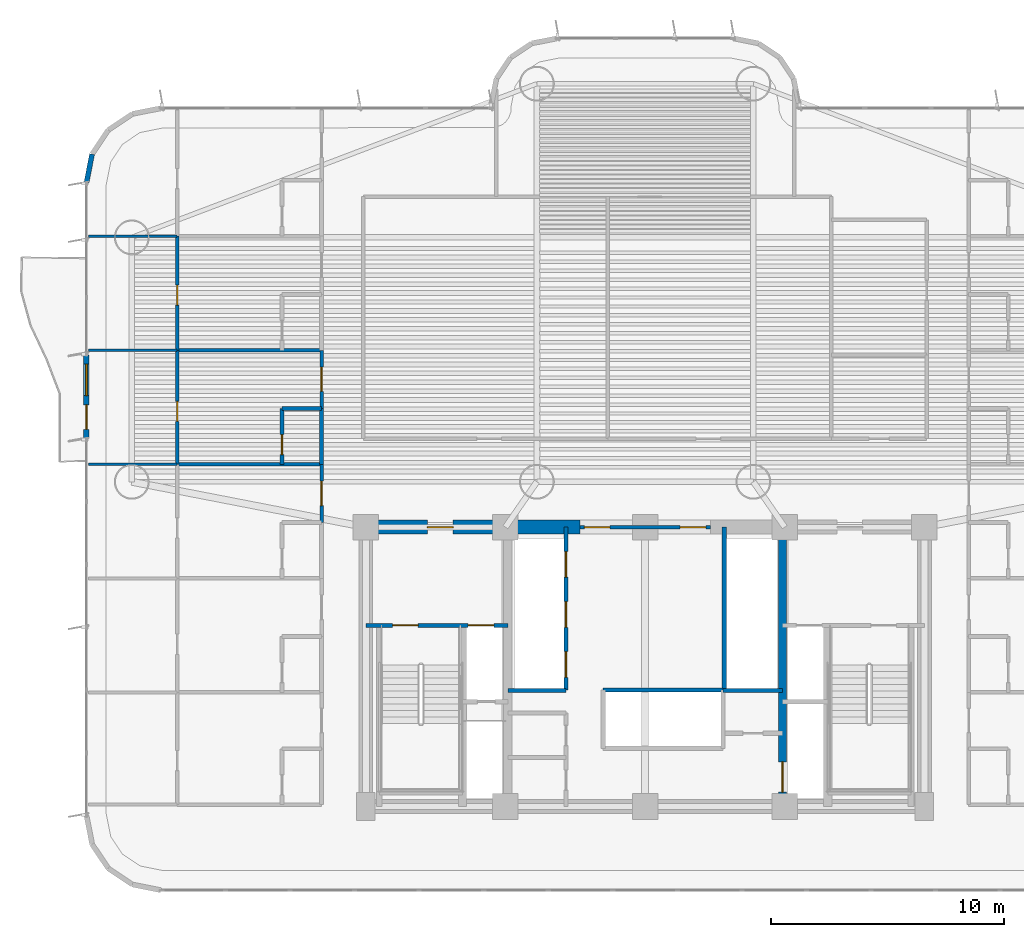
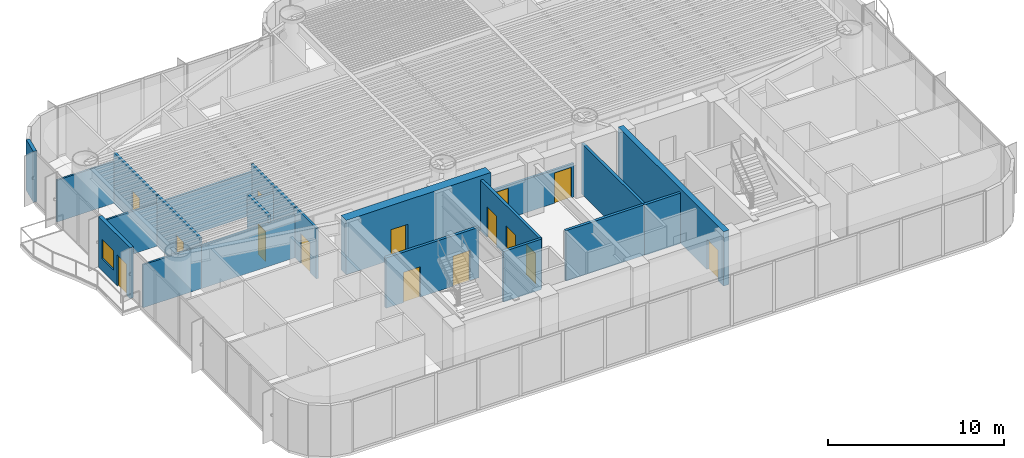
# One storey, part 11 of 19: 23 walls, 15 doors, 1 window, 16 openings.
"""IFC4 building model written with IfcOpenShell, lengths in metres."""

from ifc_helpers import new_model, si_unit, direction, frame, frame_2d, origin, origin_2d, place, context, subcontext, project, spatial, rectangle, extrude, source, transform, mapped, material, layer, layer_set, type_object, element, fill, save


model = new_model("IFC4")

# Units and contexts
model_context = context("Model", 3, precision=1e-05, world=origin(), true_north=direction((0.0, 1.0)))
body_context = subcontext(model_context, "Body", "Model", "MODEL_VIEW")
ifc_project = project(units=[si_unit("LENGTHUNIT", "METRE"), si_unit("AREAUNIT", "SQUARE_METRE"), si_unit("VOLUMEUNIT", "CUBIC_METRE"), si_unit("PLANEANGLEUNIT", "RADIAN"), si_unit("MASSUNIT", "GRAM", prefix="KILO")], contexts=[model_context])

# Site, building, storey
site_placement = place(None, origin())
site = spatial("IfcSite", under=ifc_project, at=site_placement, CompositionType="ELEMENT")
building_placement = place(site_placement, origin())
building = spatial("IfcBuilding", under=site, at=building_placement, Name="Brelvock Crest Care Tower", CompositionType="ELEMENT")
storey_placement = place(building_placement, frame((0.0, 0.0, 68.580078125)))
storey = spatial("IfcBuildingStorey", under=building, at=storey_placement, Name="L17", CompositionType="ELEMENT", Elevation=68.580078125)

# Wall, opening, door
ifc_material_1 = material(Name="Concrete S80 (80 MPa)", Category="concrete")
ifc_layer_1 = layer(ifc_material_1, 0.60009765625, Name="WL-CS1")
ifc_layer_set_1 = layer_set([ifc_layer_1], Name="Concrete S80 (80 MPa)")
wall_type_1 = type_object("IfcWallType", Name="WL-CS1", PredefinedType="SHEAR", material=ifc_layer_set_1)
wall_1_placement = place(storey_placement, frame((23.699951171875, 18.0, 0.0), z_axis=(0.0, 0.0, 1.0), x_axis=(1.0, 0.0, 0.0)))
wall_1 = element("IfcWall", 1, at=wall_1_placement, inside=storey, type_object=wall_type_1, Name="L17 Core North-West Shear Wall", PredefinedType="SHEAR", context=body_context, shape_type="SweptSolid", body=[
    extrude(rectangle(XDim=9.5, YDim=0.60009765625, at=frame_2d((4.75, 0.0))), origin(), (0.0, 0.0, 1.0), 3.780029296875),
])
opening_1_placement = place(wall_1_placement, frame((2.949951171875, 0.0, 0.0)))
opening_1 = element("IfcOpeningElement", 2, at=opening_1_placement, cuts=wall_1, Name="Opening FD-1", PredefinedType="OPENING", context=body_context, shape_type="SweptSolid", body=[
    extrude(rectangle(XDim=1.10009765625, YDim=2.10009765625, at=origin_2d()), frame((0.550048828125, 0.31005859375, 1.050048828125), z_axis=(0.0, -1.0, 0.0), x_axis=(1.0, 0.0, 0.0)), (0.0, 0.0, 1.0), 0.6201171875),
])
ifc_material_2 = material(Name="Steel Grade 350", Category="steel")
door_type_1 = type_object("IfcDoorType", Name="DR-FFL1", OperationType="NOTDEFINED", PredefinedType="DOOR", material=ifc_material_2)
shared_shape_1 = source(origin(), body_context, "Body", "SweptSolid", [
    extrude(rectangle(XDim=1.10009765625, YDim=2.10009765625, at=origin_2d()), frame((0.550048828125, 0.02490234375, 1.050048828125), z_axis=(0.0, -1.0, 0.0), x_axis=(1.0, 0.0, 0.0)), (0.0, 0.0, 1.0), 0.050048828125),
])
door_1_placement = place(opening_1_placement, origin())
door_1 = element("IfcDoor", 3, at=door_1_placement, inside=storey, type_object=door_type_1, Name="L17 Firefighting Lobby FFL-1 Exit Door", OperationType="SINGLE_SWING_LEFT", OverallHeight=2.10009765625, OverallWidth=1.10009765625, PredefinedType="DOOR", context=body_context, shape_type="MappedRepresentation", body=[
    mapped(shared_shape_1, transform((0.0, 0.0, 0.0), x_axis=(1.0, 0.0, 0.0), y_axis=(0.0, 1.0, 0.0), z_axis=(0.0, 0.0, 1.0), scale=1.0)),
])
fill(opening_1, door_1)

ifc_layer_2 = layer(ifc_material_1, 0.35009765625, Name="WL-CS5")
ifc_layer_set_2 = layer_set([ifc_layer_2], Name="Concrete S80 (80 MPa)")
wall_type_2 = type_object("IfcWallType", Name="WL-CS5", PredefinedType="SHEAR", material=ifc_layer_set_2)
wall_2_placement = place(storey_placement, frame((41.89990234375, 18.0, 0.0), z_axis=(0.0, 0.0, 1.0), x_axis=(0.0, -1.0, 0.0)))
wall_2 = element("IfcWall", 4, at=wall_2_placement, inside=storey, type_object=wall_type_2, Name="L17 Core Internal Web Wall East", PredefinedType="SHEAR", context=body_context, shape_type="SweptSolid", body=[
    extrude(rectangle(XDim=12.0, YDim=0.35009765625, at=frame_2d((6.0, 0.0))), origin(), (0.0, 0.0, 1.0), 3.780029296875),
])
opening_2_placement = place(wall_2_placement, frame((10.080078125, 0.0, 0.0)))
opening_2 = element("IfcOpeningElement", 5, at=opening_2_placement, cuts=wall_2, Name="Opening LD-S", PredefinedType="OPENING", context=body_context, shape_type="SweptSolid", body=[
    extrude(rectangle(XDim=1.300048828125, YDim=2.10009765625, at=origin_2d()), frame((0.64990234375, 0.18505859375, 1.050048828125), z_axis=(0.0, -1.0, 0.0), x_axis=(1.0, 0.0, 0.0)), (0.0, 0.0, 1.0), 0.3701171875),
])
door_type_2 = type_object("IfcDoorType", Name="DR-LDS1", OperationType="NOTDEFINED", PredefinedType="DOOR", material=ifc_material_2)
shared_shape_2 = source(origin(), body_context, "Body", "SweptSolid", [
    extrude(rectangle(XDim=1.300048828125, YDim=2.10009765625, at=origin_2d()), frame((0.64990234375, 0.02490234375, 1.050048828125), z_axis=(0.0, -1.0, 0.0), x_axis=(1.0, 0.0, 0.0)), (0.0, 0.0, 1.0), 0.050048828125),
])
door_2_placement = place(opening_2_placement, origin())
door_2 = element("IfcDoor", 6, at=door_2_placement, inside=storey, type_object=door_type_2, Name="L17 Clinical Bed Lift SL-1 Landing Door", OperationType="SLIDING_TO_LEFT", OverallHeight=2.10009765625, OverallWidth=1.300048828125, PredefinedType="DOOR", context=body_context, shape_type="MappedRepresentation", body=[
    mapped(shared_shape_2, transform((0.0, 0.0, 0.0), x_axis=(1.0, 0.0, 0.0), y_axis=(0.0, 1.0, 0.0), z_axis=(0.0, 0.0, 1.0), scale=1.0)),
])
fill(opening_2, door_2)

# Wall, openings, door, window
ifc_material_3 = material(Name="Precast concrete N40 (40 MPa)", Category="concrete")
ifc_layer_3 = layer(ifc_material_3, 0.239990234375, Name="WL-EX1")
ifc_layer_set_3 = layer_set([ifc_layer_3], Name="Precast concrete N40 (40 MPa)")
wall_type_3 = type_object("IfcWallType", Name="WL-EX1", PredefinedType="SOLIDWALL", material=ifc_layer_set_3)
wall_3_placement = place(storey_placement, frame((12.0, 21.800048828125, 0.0), z_axis=(0.0, 0.0, 1.0), x_axis=(0.0, 1.0, 0.0)))
wall_3 = element("IfcWall", 7, at=wall_3_placement, inside=storey, type_object=wall_type_3, Name="L17 Exterior Spandrel Wall WL-BAL-L17-W", PredefinedType="SOLIDWALL", context=body_context, shape_type="SweptSolid", body=[
    extrude(rectangle(XDim=3.599853515625, YDim=0.239990234375, at=frame_2d((1.7998046875, 0.0))), origin(), (0.0, 0.0, 1.0), 3.530029296875),
])
opening_3_placement = place(wall_3_placement, frame((0.39990234375, 0.0, 0.0)))
opening_3 = element("IfcOpeningElement", 8, at=opening_3_placement, cuts=wall_3, Name="Opening BD-1", PredefinedType="OPENING", context=body_context, shape_type="SweptSolid", body=[
    extrude(rectangle(XDim=1.050048828125, YDim=2.14990234375, at=origin_2d()), frame((0.52490234375, 0.1298828125, 1.074951171875), z_axis=(0.0, -1.0, 0.0), x_axis=(1.0, 0.0, 0.0)), (0.0, 0.0, 1.0), 0.260009765625),
])
opening_4_placement = place(wall_3_placement, frame((1.85009765625, 0.0, 0.85009765625)))
opening_4 = element("IfcOpeningElement", 9, at=opening_4_placement, cuts=wall_3, Name="Opening W-01", PredefinedType="OPENING", context=body_context, shape_type="SweptSolid", body=[
    extrude(rectangle(XDim=1.35009765625, YDim=1.35009765625, at=origin_2d()), frame((0.675048828125, 0.1298828125, 0.675048828125), z_axis=(0.0, -1.0, 0.0), x_axis=(1.0, 0.0, 0.0)), (0.0, 0.0, 1.0), 0.260009765625),
])
ifc_material_4 = material(Name="Dark Glass Double Glazed Low-E", Category="glass")
door_type_3 = type_object("IfcDoorType", Name="DR-BAL1", OperationType="NOTDEFINED", PredefinedType="DOOR", material=ifc_material_4)
shared_shape_3 = source(origin(), body_context, "Body", "SweptSolid", [
    extrude(rectangle(XDim=1.050048828125, YDim=2.14990234375, at=origin_2d()), frame((0.52490234375, 0.02490234375, 1.074951171875), z_axis=(0.0, -1.0, 0.0), x_axis=(1.0, 0.0, 0.0)), (0.0, 0.0, 1.0), 0.050048828125),
])
door_3_placement = place(opening_3_placement, origin())
door_3 = element("IfcDoor", 10, at=door_3_placement, inside=storey, type_object=door_type_3, Name="L17 W Wave Balcony Glazed Door", OperationType="SINGLE_SWING_LEFT", OverallHeight=2.14990234375, OverallWidth=1.050048828125, PredefinedType="DOOR", context=body_context, shape_type="MappedRepresentation", body=[
    mapped(shared_shape_3, transform((0.0, 0.0, 0.0), x_axis=(1.0, 0.0, 0.0), y_axis=(0.0, 1.0, 0.0), z_axis=(0.0, 0.0, 1.0), scale=1.0)),
])
fill(opening_3, door_3)
window_type = type_object("IfcWindowType", Name="WN-EX1", PartitioningType="SINGLE_PANEL", PredefinedType="WINDOW", material=ifc_material_4)
shared_shape_4 = source(origin(), body_context, "Body", "SweptSolid", [
    extrude(rectangle(XDim=1.35009765625, YDim=1.35009765625, at=origin_2d()), frame((0.675048828125, 0.030029296875, 0.675048828125), z_axis=(0.0, -1.0, 0.0), x_axis=(1.0, 0.0, 0.0)), (0.0, 0.0, 1.0), 0.06005859375),
])
window_placement = place(opening_4_placement, origin())
window = element("IfcWindow", 11, at=window_placement, inside=storey, type_object=window_type, Name="L17 W Suite Casement Window", OverallHeight=1.35009765625, OverallWidth=1.35009765625, PartitioningType="SINGLE_PANEL", PredefinedType="WINDOW", context=body_context, shape_type="MappedRepresentation", body=[
    mapped(shared_shape_4, transform((0.0, 0.0, 0.0), x_axis=(1.0, 0.0, 0.0), y_axis=(0.0, 1.0, 0.0), z_axis=(0.0, 0.0, 1.0), scale=1.0)),
])
fill(opening_4, window)

# Wall
ifc_layer_4 = layer(ifc_material_3, 0.215087890625, Name="WL-EX2")
ifc_layer_set_4 = layer_set([ifc_layer_4], Name="Precast concrete N40 (40 MPa)")
wall_type_4 = type_object("IfcWallType", Name="WL-EX2", PredefinedType="SOLIDWALL", material=ifc_layer_set_4)
wall_4_placement = place(storey_placement, frame((12.0, 32.800048828125, 0.0), z_axis=(0.0, 0.0, 1.0), x_axis=(0.195138390419, 0.980775717779, 0.0)))
element("IfcWall", 12, at=wall_4_placement, inside=storey, type_object=wall_type_4, Name="L17 Rounded Corner Wall 14", PredefinedType="SOLIDWALL", context=body_context, shape_type="SweptSolid", body=[
    extrude(rectangle(XDim=1.24853515625, YDim=0.215087890625, at=frame_2d((0.624267578125, 0.0))), origin(), (0.0, 0.0, 1.0), 3.530029296875),
])

# Wall, openings, doors
ifc_material_5 = material(Name="Masonry Blockwork Acoustic Partition", Category="masonry")
ifc_layer_5 = layer(ifc_material_5, 0.14990234375, Name="WL-INT1")
ifc_layer_set_5 = layer_set([ifc_layer_5], Name="Masonry Blockwork Acoustic Partition")
wall_type_5 = type_object("IfcWallType", Name="WL-INT1", PredefinedType="PARTITIONING", material=ifc_layer_set_5)
wall_5_placement = place(storey_placement, frame((33.199951171875, 18.0, 0.0), z_axis=(0.0, 0.0, 1.0), x_axis=(1.0, 0.0, 0.0)))
wall_5 = element("IfcWall", 13, at=wall_5_placement, inside=storey, type_object=wall_type_5, Name="L17 Interior Wall WL-CORE-NPORT-L17", PredefinedType="PARTITIONING", context=body_context, shape_type="SweptSolid", body=[
    extrude(rectangle(XDim=5.60009765625, YDim=0.14990234375, at=frame_2d((2.800048828125, 0.0))), origin(), (0.0, 0.0, 1.0), 2.31494140625),
])
opening_5_placement = place(wall_5_placement, frame((0.18994140625, 0.0, 0.0)))
opening_5 = element("IfcOpeningElement", 14, at=opening_5_placement, cuts=wall_5, Name="Opening FD-1", PredefinedType="OPENING", context=body_context, shape_type="SweptSolid", body=[
    extrude(rectangle(XDim=1.10009765625, YDim=2.10009765625, at=origin_2d()), frame((0.550048828125, 0.0849609375, 1.050048828125), z_axis=(0.0, -1.0, 0.0), x_axis=(1.0, 0.0, 0.0)), (0.0, 0.0, 1.0), 0.169921875),
])
opening_6_placement = place(wall_5_placement, frame((4.31005859375, 0.0, 0.0)))
opening_6 = element("IfcOpeningElement", 15, at=opening_6_placement, cuts=wall_5, Name="Opening FD-1", PredefinedType="OPENING", context=body_context, shape_type="SweptSolid", body=[
    extrude(rectangle(XDim=1.10009765625, YDim=2.10009765625, at=origin_2d()), frame((0.550048828125, 0.0849609375, 1.050048828125), z_axis=(0.0, -1.0, 0.0), x_axis=(1.0, 0.0, 0.0)), (0.0, 0.0, 1.0), 0.169921875),
])
door_4_placement = place(opening_5_placement, origin())
door_4 = element("IfcDoor", 16, at=door_4_placement, inside=storey, type_object=door_type_1, Name="L17 Lift Lobby North Smoke Door West", OperationType="SINGLE_SWING_LEFT", OverallHeight=2.10009765625, OverallWidth=1.10009765625, PredefinedType="DOOR", context=body_context, shape_type="MappedRepresentation", body=[
    mapped(shared_shape_1, transform((0.0, 0.0, 0.0), x_axis=(1.0, 0.0, 0.0), y_axis=(0.0, 1.0, 0.0), z_axis=(0.0, 0.0, 1.0), scale=1.0)),
])
fill(opening_5, door_4)
door_5_placement = place(opening_6_placement, origin())
door_5 = element("IfcDoor", 17, at=door_5_placement, inside=storey, type_object=door_type_1, Name="L17 Lift Lobby North Smoke Door East", OperationType="SINGLE_SWING_RIGHT", OverallHeight=2.10009765625, OverallWidth=1.10009765625, PredefinedType="DOOR", context=body_context, shape_type="MappedRepresentation", body=[
    mapped(shared_shape_1, transform((0.0, 0.0, 0.0), x_axis=(1.0, 0.0, 0.0), y_axis=(0.0, 1.0, 0.0), z_axis=(0.0, 0.0, 1.0), scale=1.0)),
])
fill(opening_6, door_5)

# Walls
for number, where, z_axis, x_axis, name in (
    (18, (15.89990234375, 20.699951171875, 0.0), (0.0, 0.0, 1.0), (1.0, 0.0, 0.0), "L17 Interior Wall WL-BX-L17-CS-WC3-N"),
    (19, (15.89990234375, 25.60009765625, 0.0), (0.0, 0.0, 1.0), (1.0, 0.0, 0.0), "L17 Interior Wall WL-BX-L17-CS-WC4-N"),
):
    element("IfcWall", number, at=place(storey_placement, frame(where, z_axis=z_axis, x_axis=x_axis)), inside=storey, type_object=wall_type_5, Name=name, PredefinedType="PARTITIONING", context=body_context, shape_type="SweptSolid", body=[
        extrude(rectangle(XDim=6.2001953125, YDim=0.14990234375, at=frame_2d((3.10009765625, 0.0))), origin(), (0.0, 0.0, 1.0), 2.98193359375),
    ])

# Wall, opening, door
wall_6_placement = place(storey_placement, frame((15.89990234375, 20.699951171875, 0.0), z_axis=(0.0, 0.0, 1.0), x_axis=(0.0, 1.0, 0.0)))
wall_6 = element("IfcWall", 20, at=wall_6_placement, inside=storey, type_object=wall_type_5, Name="L17 Interior Wall WL-RM-L17-WC4S", PredefinedType="PARTITIONING", context=body_context, shape_type="SweptSolid", body=[
    extrude(rectangle(XDim=4.900146484375, YDim=0.14990234375, at=frame_2d((2.4501953125, 0.0))), origin(), (0.0, 0.0, 1.0), 3.5),
])
opening_7_placement = place(wall_6_placement, frame((1.840087890625, 0.0, 0.0)))
opening_7 = element("IfcOpeningElement", 21, at=opening_7_placement, cuts=wall_6, Name="Opening ID-1", PredefinedType="OPENING", context=body_context, shape_type="SweptSolid", body=[
    extrude(rectangle(XDim=0.860107421875, YDim=2.10009765625, at=origin_2d()), frame((0.43017578125, 0.0849609375, 1.050048828125), z_axis=(0.0, -1.0, 0.0), x_axis=(1.0, 0.0, 0.0)), (0.0, 0.0, 1.0), 0.169921875),
])
ifc_material_6 = material(Name="Engineered Hardwood Timber", Category="wood")
door_type_4 = type_object("IfcDoorType", Name="DR-INT1", OperationType="NOTDEFINED", PredefinedType="DOOR", material=ifc_material_6)
shared_shape_5 = source(origin(), body_context, "Body", "SweptSolid", [
    extrude(rectangle(XDim=0.860107421875, YDim=2.10009765625, at=origin_2d()), frame((0.43017578125, 0.02490234375, 1.050048828125), z_axis=(0.0, -1.0, 0.0), x_axis=(1.0, 0.0, 0.0)), (0.0, 0.0, 1.0), 0.050048828125),
])
door_6_placement = place(opening_7_placement, origin())
door_6 = element("IfcDoor", 22, at=door_6_placement, inside=storey, type_object=door_type_4, Name="L17 Skilled Nursing Mobility Store Door WC4S", OperationType="SINGLE_SWING_LEFT", OverallHeight=2.10009765625, OverallWidth=0.860107421875, PredefinedType="DOOR", context=body_context, shape_type="MappedRepresentation", body=[
    mapped(shared_shape_5, transform((0.0, 0.0, 0.0), x_axis=(1.0, 0.0, 0.0), y_axis=(0.0, 1.0, 0.0), z_axis=(0.0, 0.0, 1.0), scale=1.0)),
])
fill(opening_7, door_6)

wall_7_placement = place(storey_placement, frame((15.89990234375, 25.60009765625, 0.0), z_axis=(0.0, 0.0, 1.0), x_axis=(0.0, 1.0, 0.0)))
wall_7 = element("IfcWall", 23, at=wall_7_placement, inside=storey, type_object=wall_type_5, Name="L17 Interior Wall WL-RM-L17-WC5S", PredefinedType="PARTITIONING", context=body_context, shape_type="SweptSolid", body=[
    extrude(rectangle(XDim=4.89990234375, YDim=0.14990234375, at=frame_2d((2.449951171875, 0.0))), origin(), (0.0, 0.0, 1.0), 3.5),
])
opening_8_placement = place(wall_7_placement, frame((1.93994140625, 0.0, 0.0)))
opening_8 = element("IfcOpeningElement", 24, at=opening_8_placement, cuts=wall_7, Name="Opening ID-1", PredefinedType="OPENING", context=body_context, shape_type="SweptSolid", body=[
    extrude(rectangle(XDim=0.860107421875, YDim=2.10009765625, at=origin_2d()), frame((0.43017578125, 0.0849609375, 1.050048828125), z_axis=(0.0, -1.0, 0.0), x_axis=(1.0, 0.0, 0.0)), (0.0, 0.0, 1.0), 0.169921875),
])
door_7_placement = place(opening_8_placement, origin())
door_7 = element("IfcDoor", 25, at=door_7_placement, inside=storey, type_object=door_type_4, Name="L17 Skilled Nursing Mobility Store Door WC5S", OperationType="SINGLE_SWING_LEFT", OverallHeight=2.10009765625, OverallWidth=0.860107421875, PredefinedType="DOOR", context=body_context, shape_type="MappedRepresentation", body=[
    mapped(shared_shape_5, transform((0.0, 0.0, 0.0), x_axis=(1.0, 0.0, 0.0), y_axis=(0.0, 1.0, 0.0), z_axis=(0.0, 0.0, 1.0), scale=1.0)),
])
fill(opening_8, door_7)

wall_8_placement = place(storey_placement, frame((22.10009765625, 18.199951171875, 0.0), z_axis=(0.0, 0.0, 1.0), x_axis=(0.0, 1.0, 0.0)))
wall_8 = element("IfcWall", 26, at=wall_8_placement, inside=storey, type_object=wall_type_5, Name="L17 Interior Wall WL-CENT-L17-WC3", PredefinedType="PARTITIONING", context=body_context, shape_type="SweptSolid", body=[
    extrude(rectangle(XDim=2.5, YDim=0.14990234375, at=frame_2d((1.25, 0.0))), origin(), (0.0, 0.0, 1.0), 3.5),
])
opening_9_placement = place(wall_8_placement, frame((0.72998046875, 0.0, 0.0)))
opening_9 = element("IfcOpeningElement", 27, at=opening_9_placement, cuts=wall_8, Name="Opening CD-1", PredefinedType="OPENING", context=body_context, shape_type="SweptSolid", body=[
    extrude(rectangle(XDim=1.050048828125, YDim=2.10009765625, at=origin_2d()), frame((0.52490234375, 0.0849609375, 1.050048828125), z_axis=(0.0, -1.0, 0.0), x_axis=(1.0, 0.0, 0.0)), (0.0, 0.0, 1.0), 0.169921875),
])
door_type_5 = type_object("IfcDoorType", Name="DR-CARE1", OperationType="NOTDEFINED", PredefinedType="DOOR", material=ifc_material_6)
shared_shape_6 = source(origin(), body_context, "Body", "SweptSolid", [
    extrude(rectangle(XDim=1.050048828125, YDim=2.10009765625, at=origin_2d()), frame((0.52490234375, 0.02490234375, 1.050048828125), z_axis=(0.0, -1.0, 0.0), x_axis=(1.0, 0.0, 0.0)), (0.0, 0.0, 1.0), 0.050048828125),
])
door_8_placement = place(opening_9_placement, origin())
door_8 = element("IfcDoor", 28, at=door_8_placement, inside=storey, type_object=door_type_5, Name="L17 Care Suite Door WC3", OperationType="SINGLE_SWING_LEFT", OverallHeight=2.10009765625, OverallWidth=1.050048828125, PredefinedType="DOOR", context=body_context, shape_type="MappedRepresentation", body=[
    mapped(shared_shape_6, transform((0.0, 0.0, 0.0), x_axis=(1.0, 0.0, 0.0), y_axis=(0.0, 1.0, 0.0), z_axis=(0.0, 0.0, 1.0), scale=1.0)),
])
fill(opening_9, door_8)

wall_9_placement = place(storey_placement, frame((22.10009765625, 23.10009765625, 0.0), z_axis=(0.0, 0.0, 1.0), x_axis=(0.0, 1.0, 0.0)))
wall_9 = element("IfcWall", 29, at=wall_9_placement, inside=storey, type_object=wall_type_5, Name="L17 Interior Wall WL-CENT-L17-WC4", PredefinedType="PARTITIONING", context=body_context, shape_type="SweptSolid", body=[
    extrude(rectangle(XDim=2.5, YDim=0.14990234375, at=frame_2d((1.25, 0.0))), origin(), (0.0, 0.0, 1.0), 3.5),
])
opening_10_placement = place(wall_9_placement, frame((0.72998046875, 0.0, 0.0)))
opening_10 = element("IfcOpeningElement", 30, at=opening_10_placement, cuts=wall_9, Name="Opening CD-1", PredefinedType="OPENING", context=body_context, shape_type="SweptSolid", body=[
    extrude(rectangle(XDim=1.050048828125, YDim=2.10009765625, at=origin_2d()), frame((0.52490234375, 0.0849609375, 1.050048828125), z_axis=(0.0, -1.0, 0.0), x_axis=(1.0, 0.0, 0.0)), (0.0, 0.0, 1.0), 0.169921875),
])
door_9_placement = place(opening_10_placement, origin())
door_9 = element("IfcDoor", 31, at=door_9_placement, inside=storey, type_object=door_type_5, Name="L17 Care Suite Door WC4", OperationType="SINGLE_SWING_LEFT", OverallHeight=2.10009765625, OverallWidth=1.050048828125, PredefinedType="DOOR", context=body_context, shape_type="MappedRepresentation", body=[
    mapped(shared_shape_6, transform((0.0, 0.0, 0.0), x_axis=(1.0, 0.0, 0.0), y_axis=(0.0, 1.0, 0.0), z_axis=(0.0, 0.0, 1.0), scale=1.0)),
])
fill(opening_10, door_9)

# Walls
ifc_material_7 = material(Name="Gypsum Plasterboard Partition", Category="gypsum")
ifc_layer_6 = layer(ifc_material_7, 0.1201171875, Name="WL-INT2")
ifc_layer_set_6 = layer_set([ifc_layer_6], Name="Gypsum Plasterboard Partition")
wall_type_6 = type_object("IfcWallType", Name="WL-INT2", PredefinedType="PARTITIONING", material=ifc_layer_set_6)
for number, where, z_axis, x_axis, name in (
    (32, (12.080078125, 20.699951171875, 0.0), (0.0, 0.0, 1.0), (1.0, 0.0, 0.0), "L17 Interior Wall WL-BX-L17-WC3S-N"),
    (33, (12.080078125, 25.60009765625, 0.0), (0.0, 0.0, 1.0), (1.0, 0.0, 0.0), "L17 Interior Wall WL-BX-L17-WC4S-N"),
):
    element("IfcWall", number, at=place(storey_placement, frame(where, z_axis=z_axis, x_axis=x_axis)), inside=storey, type_object=wall_type_6, Name=name, PredefinedType="PARTITIONING", context=body_context, shape_type="SweptSolid", body=[
        extrude(rectangle(XDim=3.81982421875, YDim=0.1201171875, at=frame_2d((1.909912109375, 0.0))), origin(), (0.0, 0.0, 1.0), 2.98193359375),
    ])
wall_10_placement = place(storey_placement, frame((12.080078125, 30.5, 0.0), z_axis=(0.0, 0.0, 1.0), x_axis=(1.0, 0.0, 0.0)))
element("IfcWall", 34, at=wall_10_placement, inside=storey, type_object=wall_type_6, Name="L17 Interior Wall WL-BX-L17-WC5S-N", PredefinedType="PARTITIONING", context=body_context, shape_type="SweptSolid", body=[
    extrude(rectangle(XDim=3.81982421875, YDim=0.1201171875, at=frame_2d((1.909912109375, 0.0))), origin(), (0.0, 0.0, 1.0), 2.90283203125),
])
ifc_layer_7 = layer(ifc_material_7, 0.159912109375, Name="WL-PLM1")
ifc_layer_set_7 = layer_set([ifc_layer_7], Name="Gypsum Plasterboard Partition")
wall_type_7 = type_object("IfcWallType", Name="WL-PLM1", PredefinedType="PLUMBINGWALL", material=ifc_layer_set_7)
wall_11_placement = place(storey_placement, frame((20.39990234375, 23.10009765625, 0.0), z_axis=(0.0, 0.0, 1.0), x_axis=(1.0, 0.0, 0.0)))
element("IfcWall", 35, at=wall_11_placement, inside=storey, type_object=wall_type_7, Name="L17 Interior Wall WL-CENS2-L17-WC4", PredefinedType="PLUMBINGWALL", context=body_context, shape_type="SweptSolid", body=[
    extrude(rectangle(XDim=1.7001953125, YDim=0.159912109375, at=frame_2d((0.85009765625, 0.0))), origin(), (0.0, 0.0, 1.0), 3.054931640625),
])

# Wall, opening, door
wall_12_placement = place(storey_placement, frame((20.39990234375, 20.699951171875, 0.0), z_axis=(0.0, 0.0, 1.0), x_axis=(0.0, 1.0, 0.0)))
wall_12 = element("IfcWall", 36, at=wall_12_placement, inside=storey, type_object=wall_type_7, Name="L17 Interior Wall WL-CENS1-L17-WC4", PredefinedType="PLUMBINGWALL", context=body_context, shape_type="SweptSolid", body=[
    extrude(rectangle(XDim=2.400146484375, YDim=0.159912109375, at=frame_2d((1.2001953125, 0.0))), origin(), (0.0, 0.0, 1.0), 3.5),
])
opening_11_placement = place(wall_12_placement, frame((0.419921875, 0.0, 0.0)))
opening_11 = element("IfcOpeningElement", 37, at=opening_11_placement, cuts=wall_12, Name="Opening WD-1", PredefinedType="OPENING", context=body_context, shape_type="SweptSolid", body=[
    extrude(rectangle(XDim=0.860107421875, YDim=2.10009765625, at=origin_2d()), frame((0.43017578125, 0.08984375, 1.050048828125), z_axis=(0.0, -1.0, 0.0), x_axis=(1.0, 0.0, 0.0)), (0.0, 0.0, 1.0), 0.179931640625),
])
door_type_6 = type_object("IfcDoorType", Name="DR-WC1", OperationType="NOTDEFINED", PredefinedType="DOOR", material=ifc_material_6)
shared_shape_7 = source(origin(), body_context, "Body", "SweptSolid", [
    extrude(rectangle(XDim=0.860107421875, YDim=2.10009765625, at=origin_2d()), frame((0.43017578125, 0.02490234375, 1.050048828125), z_axis=(0.0, -1.0, 0.0), x_axis=(1.0, 0.0, 0.0)), (0.0, 0.0, 1.0), 0.050048828125),
])
door_10_placement = place(opening_11_placement, origin())
door_10 = element("IfcDoor", 38, at=door_10_placement, inside=storey, type_object=door_type_6, Name="L17 Care En-Suite Door WC4", OperationType="SINGLE_SWING_LEFT", OverallHeight=2.10009765625, OverallWidth=0.860107421875, PredefinedType="DOOR", context=body_context, shape_type="MappedRepresentation", body=[
    mapped(shared_shape_7, transform((0.0, 0.0, 0.0), x_axis=(1.0, 0.0, 0.0), y_axis=(0.0, 1.0, 0.0), z_axis=(0.0, 0.0, 1.0), scale=1.0)),
])
fill(opening_11, door_10)

# Walls
wall_13_placement = place(storey_placement, frame((22.10009765625, 20.699951171875, 0.0), z_axis=(0.0, 0.0, 1.0), x_axis=(0.0, 1.0, 0.0)))
element("IfcWall", 39, at=wall_13_placement, inside=storey, type_object=wall_type_7, Name="L17 Interior Wall WL-CENS0-L17-WC4", PredefinedType="PLUMBINGWALL", context=body_context, shape_type="SweptSolid", body=[
    extrude(rectangle(XDim=2.400146484375, YDim=0.159912109375, at=frame_2d((1.2001953125, 0.0))), origin(), (0.0, 0.0, 1.0), 3.5),
])
ifc_layer_8 = layer(ifc_material_5, 0.179931640625, Name="WL-SHF1")
ifc_layer_set_8 = layer_set([ifc_layer_8], Name="Masonry Blockwork Acoustic Partition")
wall_type_8 = type_object("IfcWallType", Name="WL-SHF1", PredefinedType="PARTITIONING", material=ifc_layer_set_8)
wall_14_placement = place(storey_placement, frame((34.199951171875, 11.0, 0.0), z_axis=(0.0, 0.0, 1.0), x_axis=(1.0, 0.0, 0.0)))
element("IfcWall", 40, at=wall_14_placement, inside=storey, type_object=wall_type_8, Name="L17 Interior Wall WL-PLM-SHF-L17", PredefinedType="PARTITIONING", context=body_context, shape_type="SweptSolid", body=[
    extrude(rectangle(XDim=5.150146484375, YDim=0.179931640625, at=frame_2d((2.5751953125, 0.0))), origin(), (0.0, 0.0, 1.0), 3.5),
])
wall_15_placement = place(storey_placement, frame((39.39990234375, 11.0, 0.0), z_axis=(0.0, 0.0, 1.0), x_axis=(0.0, 1.0, 0.0)))
element("IfcWall", 41, at=wall_15_placement, inside=storey, type_object=wall_type_8, Name="L17 Interior Wall WL-PLH-SHF-L17", PredefinedType="PARTITIONING", context=body_context, shape_type="SweptSolid", body=[
    extrude(rectangle(XDim=7.0, YDim=0.179931640625, at=frame_2d((3.5, 0.0))), origin(), (0.0, 0.0, 1.0), 3.5),
])
wall_16_placement = place(storey_placement, frame((30.10009765625, 10.97998046875, 0.0), z_axis=(0.0, 0.0, 1.0), x_axis=(1.0, 0.0, 0.0)))
element("IfcWall", 42, at=wall_16_placement, inside=storey, type_object=wall_type_8, Name="L17 Interior Wall WL-CSBW-N-L17", PredefinedType="PARTITIONING", context=body_context, shape_type="SweptSolid", body=[
    extrude(rectangle(XDim=2.5, YDim=0.179931640625, at=frame_2d((1.25, 0.0))), origin(), (0.0, 0.0, 1.0), 3.5),
])
wall_17_placement = place(storey_placement, frame((39.35009765625, 10.97998046875, 0.0), z_axis=(0.0, 0.0, 1.0), x_axis=(1.0, 0.0, 0.0)))
element("IfcWall", 43, at=wall_17_placement, inside=storey, type_object=wall_type_8, Name="L17 Interior Wall WL-CSBE-N-L17", PredefinedType="PARTITIONING", context=body_context, shape_type="SweptSolid", body=[
    extrude(rectangle(XDim=2.5498046875, YDim=0.179931640625, at=frame_2d((1.27490234375, 0.0))), origin(), (0.0, 0.0, 1.0), 3.5),
])

# Wall, openings, doors
wall_18_placement = place(storey_placement, frame((24.0, 13.780029296875, 0.0), z_axis=(0.0, 0.0, 1.0), x_axis=(1.0, 0.0, 0.0)))
wall_18 = element("IfcWall", 44, at=wall_18_placement, inside=storey, type_object=wall_type_8, Name="L17 Interior Wall WL-ST1-N-L17", PredefinedType="PARTITIONING", context=body_context, shape_type="SweptSolid", body=[
    extrude(rectangle(XDim=6.10009765625, YDim=0.179931640625, at=frame_2d((3.050048828125, 0.0))), origin(), (0.0, 0.0, 1.0), 3.5),
])
opening_12_placement = place(wall_18_placement, frame((1.14990234375, 0.0, 0.0)))
opening_12 = element("IfcOpeningElement", 45, at=opening_12_placement, cuts=wall_18, Name="Opening SD-1", PredefinedType="OPENING", context=body_context, shape_type="SweptSolid", body=[
    extrude(rectangle(XDim=1.10009765625, YDim=2.10009765625, at=origin_2d()), frame((0.550048828125, 0.10009765625, 1.050048828125), z_axis=(0.0, -1.0, 0.0), x_axis=(1.0, 0.0, 0.0)), (0.0, 0.0, 1.0), 0.199951171875),
])
opening_13_placement = place(wall_18_placement, frame((4.39990234375, 0.0, 0.0)))
opening_13 = element("IfcOpeningElement", 46, at=opening_13_placement, cuts=wall_18, Name="Opening LD", PredefinedType="OPENING", context=body_context, shape_type="SweptSolid", body=[
    extrude(rectangle(XDim=1.10009765625, YDim=2.10009765625, at=origin_2d()), frame((0.550048828125, 0.10009765625, 1.050048828125), z_axis=(0.0, -1.0, 0.0), x_axis=(1.0, 0.0, 0.0)), (0.0, 0.0, 1.0), 0.199951171875),
])
door_type_7 = type_object("IfcDoorType", Name="DR-ST1", OperationType="NOTDEFINED", PredefinedType="DOOR", material=ifc_material_2)
shared_shape_8 = source(origin(), body_context, "Body", "SweptSolid", [
    extrude(rectangle(XDim=1.10009765625, YDim=2.10009765625, at=origin_2d()), frame((0.550048828125, 0.02490234375, 1.050048828125), z_axis=(0.0, -1.0, 0.0), x_axis=(1.0, 0.0, 0.0)), (0.0, 0.0, 1.0), 0.050048828125),
])
door_11_placement = place(opening_12_placement, origin())
door_11 = element("IfcDoor", 47, at=door_11_placement, inside=storey, type_object=door_type_7, Name="L17 Fire Stair ST-1 Door", OperationType="SINGLE_SWING_LEFT", OverallHeight=2.10009765625, OverallWidth=1.10009765625, PredefinedType="DOOR", context=body_context, shape_type="MappedRepresentation", body=[
    mapped(shared_shape_8, transform((0.0, 0.0, 0.0), x_axis=(1.0, 0.0, 0.0), y_axis=(0.0, 1.0, 0.0), z_axis=(0.0, 0.0, 1.0), scale=1.0)),
])
fill(opening_12, door_11)
door_type_8 = type_object("IfcDoorType", Name="DR-LD1", OperationType="NOTDEFINED", PredefinedType="DOOR", material=ifc_material_2)
shared_shape_9 = source(origin(), body_context, "Body", "SweptSolid", [
    extrude(rectangle(XDim=1.10009765625, YDim=2.10009765625, at=origin_2d()), frame((0.550048828125, 0.02490234375, 1.050048828125), z_axis=(0.0, -1.0, 0.0), x_axis=(1.0, 0.0, 0.0)), (0.0, 0.0, 1.0), 0.050048828125),
])
door_12_placement = place(opening_13_placement, origin())
door_12 = element("IfcDoor", 48, at=door_12_placement, inside=storey, type_object=door_type_8, Name="L17 Firefighting Lift FFL-1 Landing Door", OperationType="SLIDING_TO_LEFT", OverallHeight=2.10009765625, OverallWidth=1.10009765625, PredefinedType="DOOR", context=body_context, shape_type="MappedRepresentation", body=[
    mapped(shared_shape_9, transform((0.0, 0.0, 0.0), x_axis=(1.0, 0.0, 0.0), y_axis=(0.0, 1.0, 0.0), z_axis=(0.0, 0.0, 1.0), scale=1.0)),
])
fill(opening_13, door_12)

wall_19_placement = place(storey_placement, frame((32.60009765625, 11.0, 0.0), z_axis=(0.0, 0.0, 1.0), x_axis=(0.0, 1.0, 0.0)))
wall_19 = element("IfcWall", 49, at=wall_19_placement, inside=storey, type_object=wall_type_8, Name="L17 Interior Wall WL-PLL-BANK-L17", PredefinedType="PARTITIONING", context=body_context, shape_type="SweptSolid", body=[
    extrude(rectangle(XDim=7.0, YDim=0.179931640625, at=frame_2d((3.5, 0.0))), origin(), (0.0, 0.0, 1.0), 3.5),
])
opening_14_placement = place(wall_19_placement, frame((0.550048828125, 0.0, 0.0)))
opening_14 = element("IfcOpeningElement", 50, at=opening_14_placement, cuts=wall_19, Name="Opening LD", PredefinedType="OPENING", context=body_context, shape_type="SweptSolid", body=[
    extrude(rectangle(XDim=1.10009765625, YDim=2.10009765625, at=origin_2d()), frame((0.550048828125, 0.10009765625, 1.050048828125), z_axis=(0.0, -1.0, 0.0), x_axis=(1.0, 0.0, 0.0)), (0.0, 0.0, 1.0), 0.199951171875),
])
opening_15_placement = place(wall_19_placement, frame((2.699951171875, 0.0, 0.0)))
opening_15 = element("IfcOpeningElement", 51, at=opening_15_placement, cuts=wall_19, Name="Opening LD", PredefinedType="OPENING", context=body_context, shape_type="SweptSolid", body=[
    extrude(rectangle(XDim=1.10009765625, YDim=2.10009765625, at=origin_2d()), frame((0.550048828125, 0.10009765625, 1.050048828125), z_axis=(0.0, -1.0, 0.0), x_axis=(1.0, 0.0, 0.0)), (0.0, 0.0, 1.0), 0.199951171875),
])
opening_16_placement = place(wall_19_placement, frame((4.85009765625, 0.0, 0.0)))
opening_16 = element("IfcOpeningElement", 52, at=opening_16_placement, cuts=wall_19, Name="Opening LD", PredefinedType="OPENING", context=body_context, shape_type="SweptSolid", body=[
    extrude(rectangle(XDim=1.10009765625, YDim=2.10009765625, at=origin_2d()), frame((0.550048828125, 0.10009765625, 1.050048828125), z_axis=(0.0, -1.0, 0.0), x_axis=(1.0, 0.0, 0.0)), (0.0, 0.0, 1.0), 0.199951171875),
])
door_13_placement = place(opening_14_placement, origin())
door_13 = element("IfcDoor", 53, at=door_13_placement, inside=storey, type_object=door_type_8, Name="L17 Lift PL-L1 Landing Door", OperationType="SLIDING_TO_LEFT", OverallHeight=2.10009765625, OverallWidth=1.10009765625, PredefinedType="DOOR", context=body_context, shape_type="MappedRepresentation", body=[
    mapped(shared_shape_9, transform((0.0, 0.0, 0.0), x_axis=(1.0, 0.0, 0.0), y_axis=(0.0, 1.0, 0.0), z_axis=(0.0, 0.0, 1.0), scale=1.0)),
])
fill(opening_14, door_13)
door_14_placement = place(opening_15_placement, origin())
door_14 = element("IfcDoor", 54, at=door_14_placement, inside=storey, type_object=door_type_8, Name="L17 Lift PL-L2 Landing Door", OperationType="SLIDING_TO_LEFT", OverallHeight=2.10009765625, OverallWidth=1.10009765625, PredefinedType="DOOR", context=body_context, shape_type="MappedRepresentation", body=[
    mapped(shared_shape_9, transform((0.0, 0.0, 0.0), x_axis=(1.0, 0.0, 0.0), y_axis=(0.0, 1.0, 0.0), z_axis=(0.0, 0.0, 1.0), scale=1.0)),
])
fill(opening_15, door_14)
door_15_placement = place(opening_16_placement, origin())
door_15 = element("IfcDoor", 55, at=door_15_placement, inside=storey, type_object=door_type_8, Name="L17 Lift PL-L3 Landing Door", OperationType="SLIDING_TO_LEFT", OverallHeight=2.10009765625, OverallWidth=1.10009765625, PredefinedType="DOOR", context=body_context, shape_type="MappedRepresentation", body=[
    mapped(shared_shape_9, transform((0.0, 0.0, 0.0), x_axis=(1.0, 0.0, 0.0), y_axis=(0.0, 1.0, 0.0), z_axis=(0.0, 0.0, 1.0), scale=1.0)),
])
fill(opening_16, door_15)

save(model, "model.ifc")
